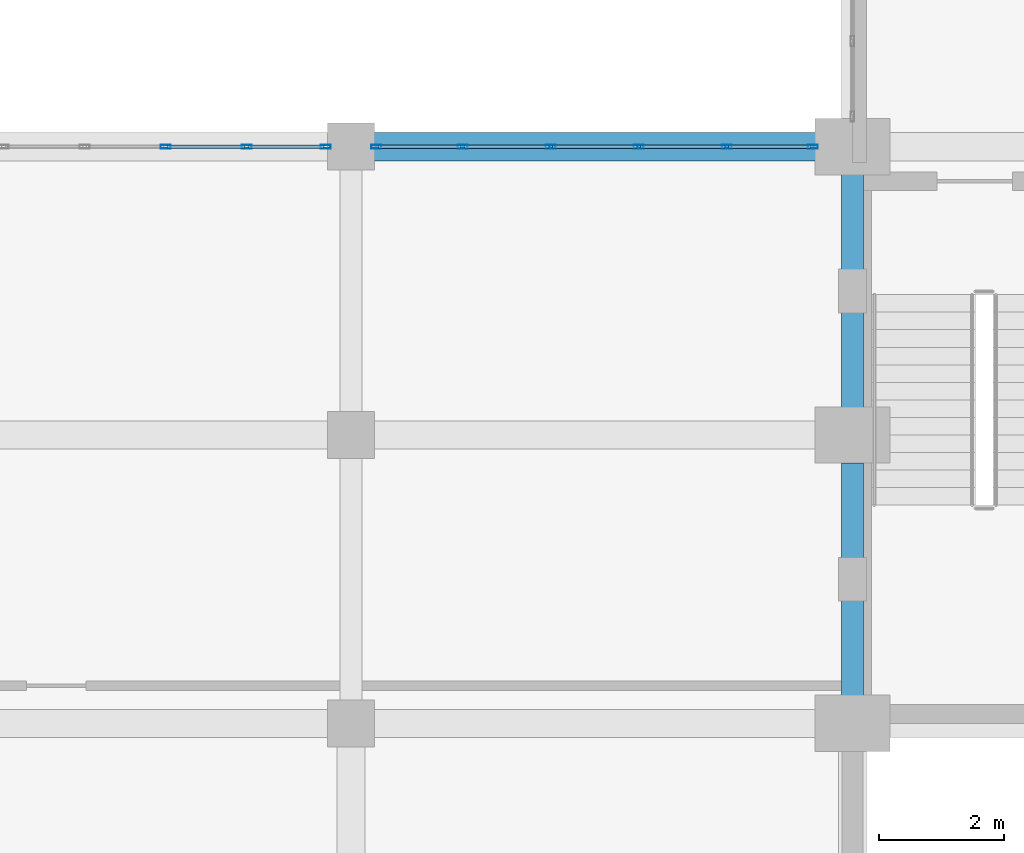
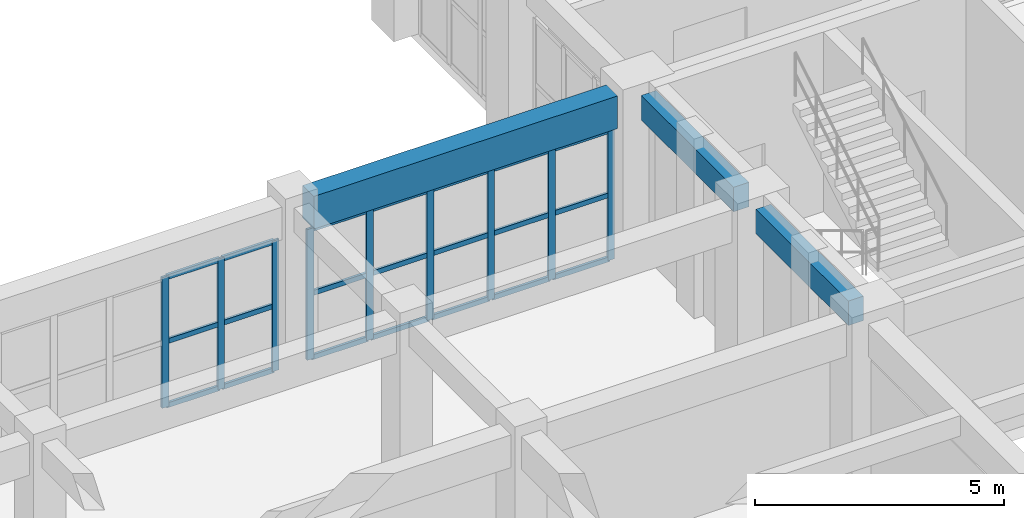
# One storey, part 13 of 116: 30 members, 3 beams, 2 elements without a shape of their own.
"""IFC4 building model written with IfcOpenShell, lengths in metres."""

from ifc_helpers import new_model, si_unit, direction, frame, origin, origin_2d, place, context, subcontext, project, spatial, rectangle, hollow_rectangle, extrude, material, layer, layer_set, material_profile, profile_set, type_object, element, aggregate, save


model = new_model("IFC4")

# Units and contexts
model_context = context("Model", 3, precision=1e-05, world=origin(), true_north=direction((0.0, 1.0)))
body_context = subcontext(model_context, "Body", "Model", "MODEL_VIEW")
ifc_project = project(units=[si_unit("LENGTHUNIT", "METRE"), si_unit("AREAUNIT", "SQUARE_METRE"), si_unit("VOLUMEUNIT", "CUBIC_METRE"), si_unit("PLANEANGLEUNIT", "RADIAN"), si_unit("MASSUNIT", "GRAM", prefix="KILO")], contexts=[model_context])

# Site, building, storey
site_placement = place(None, origin())
site = spatial("IfcSite", under=ifc_project, at=site_placement, CompositionType="ELEMENT")
building_placement = place(site_placement, origin())
building = spatial("IfcBuilding", under=site, at=building_placement, Name="Muzn Square Opera House", CompositionType="ELEMENT")
storey_placement = place(building_placement, frame((0.0, 0.0, 5.39990234375)))
storey = spatial("IfcBuildingStorey", under=building, at=storey_placement, Name="L01", CompositionType="ELEMENT", Elevation=5.39990234375)

# Curtain wall, members
ifc_material_1 = material(Name="Low-E laminated acoustic double glazing", Category="glass")
ifc_layer_1 = layer(ifc_material_1, 0.159912109375, Name="Low-E laminated acoustic double glazing", Category="glass")
ifc_layer_set_1 = layer_set([ifc_layer_1], Name="Low-E laminated acoustic double glazing")
curtain_wall_type_1 = type_object("IfcCurtainWallType", Name="Glazed Curtain Wall WestCloisterS 7750x3200", PredefinedType="USERDEFINED", material=ifc_layer_set_1)
curtain_wall_1_placement = place(storey_placement, origin())
curtain_wall_1 = element("IfcCurtainWall", 1, at=curtain_wall_1_placement, inside=storey, type_object=curtain_wall_type_1, Name="Glazed Curtain Wall CW-L01-083", ObjectType="GLAZED CURTAIN WALL", PredefinedType="USERDEFINED")
ifc_material_2 = material(Name="Anodised bronze aluminium 6063-T6", Category="metal")
ifc_material_profile_1 = material_profile(ifc_material_2, hollow_rectangle(XDim=0.06005859375, YDim=0.159912109375, WallThickness=0.00390625, at=origin_2d()), Name="ALU 160x60x4", Category="metal")
ifc_profile_set_1 = profile_set([ifc_material_profile_1], Name="Anodised bronze aluminium 6063-T6")
member_type_1 = type_object("IfcMemberType", Name="Curtain Wall Mullion 160x60", PredefinedType="MULLION", material=ifc_profile_set_1)
member_1_placement = place(storey_placement, frame((32.041748046875, 31.199951171875, 0.0), z_axis=(0.0, 0.0, 1.0), x_axis=(0.0, 1.0, 0.0)))
member_1 = element("IfcMember", 2, at=member_1_placement, type_object=member_type_1, Name="CW-WCS-77x32 mullion 5", PredefinedType="MULLION", context=body_context, shape_type="SweptSolid", body=[
    extrude(hollow_rectangle(XDim=0.06005859375, YDim=0.159912109375, WallThickness=0.00390625, at=origin_2d()), origin(), (0.0, 0.0, 1.0), 3.2001953125),
])
member_2_placement = place(storey_placement, frame((33.333251953125, 31.199951171875, 0.0), z_axis=(0.0, 0.0, 1.0), x_axis=(0.0, 1.0, 0.0)))
member_2 = element("IfcMember", 3, at=member_2_placement, type_object=member_type_1, Name="CW-WCS-77x32 mullion 6", PredefinedType="MULLION", context=body_context, shape_type="SweptSolid", body=[
    extrude(hollow_rectangle(XDim=0.06005859375, YDim=0.159912109375, WallThickness=0.00390625, at=origin_2d()), origin(), (0.0, 0.0, 1.0), 3.2001953125),
])
member_3_placement = place(storey_placement, frame((34.594970703125, 31.199951171875, 0.0), z_axis=(0.0, 0.0, 1.0), x_axis=(0.0, 1.0, 0.0)))
member_3 = element("IfcMember", 4, at=member_3_placement, type_object=member_type_1, Name="CW-WCS-77x32 mullion 7", PredefinedType="MULLION", context=body_context, shape_type="SweptSolid", body=[
    extrude(hollow_rectangle(XDim=0.06005859375, YDim=0.159912109375, WallThickness=0.00390625, at=origin_2d()), origin(), (0.0, 0.0, 1.0), 3.2001953125),
])

ifc_layer_2 = layer(ifc_material_1, 0.159912109375, Name="Low-E laminated acoustic double glazing", Category="glass")
ifc_layer_set_2 = layer_set([ifc_layer_2], Name="Low-E laminated acoustic double glazing")
curtain_wall_type_2 = type_object("IfcCurtainWallType", Name="Glazed Curtain Wall WestCloisterS 7025x3200", PredefinedType="USERDEFINED", material=ifc_layer_set_2)
curtain_wall_2_placement = place(storey_placement, origin())
curtain_wall_2 = element("IfcCurtainWall", 5, at=curtain_wall_2_placement, inside=storey, type_object=curtain_wall_type_2, Name="Glazed Curtain Wall CW-L01-085", ObjectType="GLAZED CURTAIN WALL", PredefinedType="USERDEFINED")
member_4_placement = place(storey_placement, frame((35.405029296875, 31.199951171875, 0.0), z_axis=(0.0, 0.0, 1.0), x_axis=(0.0, 1.0, 0.0)))
member_4 = element("IfcMember", 6, at=member_4_placement, type_object=member_type_1, Name="CW-WCS-70x32 mullion 1", PredefinedType="MULLION", context=body_context, shape_type="SweptSolid", body=[
    extrude(hollow_rectangle(XDim=0.06005859375, YDim=0.159912109375, WallThickness=0.00390625, at=origin_2d()), origin(), (0.0, 0.0, 1.0), 3.2001953125),
])
member_5_placement = place(storey_placement, frame((36.780029296875, 31.199951171875, 0.0), z_axis=(0.0, 0.0, 1.0), x_axis=(0.0, 1.0, 0.0)))
member_5 = element("IfcMember", 7, at=member_5_placement, type_object=member_type_1, Name="CW-WCS-70x32 mullion 2", PredefinedType="MULLION", context=body_context, shape_type="SweptSolid", body=[
    extrude(hollow_rectangle(XDim=0.06005859375, YDim=0.159912109375, WallThickness=0.00390625, at=origin_2d()), origin(), (0.0, 0.0, 1.0), 3.2001953125),
])
member_6_placement = place(storey_placement, frame((38.18505859375, 31.199951171875, 0.0), z_axis=(0.0, 0.0, 1.0), x_axis=(0.0, 1.0, 0.0)))
member_6 = element("IfcMember", 8, at=member_6_placement, type_object=member_type_1, Name="CW-WCS-70x32 mullion 3", PredefinedType="MULLION", context=body_context, shape_type="SweptSolid", body=[
    extrude(hollow_rectangle(XDim=0.06005859375, YDim=0.159912109375, WallThickness=0.00390625, at=origin_2d()), origin(), (0.0, 0.0, 1.0), 3.2001953125),
])
member_7_placement = place(storey_placement, frame((39.590087890625, 31.199951171875, 0.0), z_axis=(0.0, 0.0, 1.0), x_axis=(0.0, 1.0, 0.0)))
member_7 = element("IfcMember", 9, at=member_7_placement, type_object=member_type_1, Name="CW-WCS-70x32 mullion 4", PredefinedType="MULLION", context=body_context, shape_type="SweptSolid", body=[
    extrude(hollow_rectangle(XDim=0.06005859375, YDim=0.159912109375, WallThickness=0.00390625, at=origin_2d()), origin(), (0.0, 0.0, 1.0), 3.2001953125),
])
member_8_placement = place(storey_placement, frame((40.9951171875, 31.199951171875, 0.0), z_axis=(0.0, 0.0, 1.0), x_axis=(0.0, 1.0, 0.0)))
member_8 = element("IfcMember", 10, at=member_8_placement, type_object=member_type_1, Name="CW-WCS-70x32 mullion 5", PredefinedType="MULLION", context=body_context, shape_type="SweptSolid", body=[
    extrude(hollow_rectangle(XDim=0.06005859375, YDim=0.159912109375, WallThickness=0.00390625, at=origin_2d()), origin(), (0.0, 0.0, 1.0), 3.2001953125),
])
member_9_placement = place(storey_placement, frame((42.3701171875, 31.199951171875, 0.0), z_axis=(0.0, 0.0, 1.0), x_axis=(0.0, 1.0, 0.0)))
member_9 = element("IfcMember", 11, at=member_9_placement, type_object=member_type_1, Name="CW-WCS-70x32 mullion 6", PredefinedType="MULLION", context=body_context, shape_type="SweptSolid", body=[
    extrude(hollow_rectangle(XDim=0.06005859375, YDim=0.159912109375, WallThickness=0.00390625, at=origin_2d()), origin(), (0.0, 0.0, 1.0), 3.2001953125),
])

# Member
ifc_material_profile_2 = material_profile(ifc_material_2, hollow_rectangle(XDim=0.06005859375, YDim=0.1201171875, WallThickness=0.00390625, at=origin_2d()), Name="ALU 120x60x4", Category="metal")
ifc_profile_set_2 = profile_set([ifc_material_profile_2], Name="Anodised bronze aluminium 6063-T6")
member_type_2 = type_object("IfcMemberType", Name="Curtain Wall Transom 120x60", PredefinedType="USERDEFINED", material=ifc_profile_set_2)
member_10_placement = place(storey_placement, frame((32.07177734375, 31.199951171875, 0.030029296875), z_axis=(1.0, 0.0, 0.0), x_axis=(0.0, 1.0, 0.0)))
member_10 = element("IfcMember", 12, at=member_10_placement, type_object=member_type_2, Name="CW-WCS-77x32 transom 5.1", ObjectType="TRANSOM", PredefinedType="USERDEFINED", context=body_context, shape_type="SweptSolid", body=[
    extrude(hollow_rectangle(XDim=0.06005859375, YDim=0.1201171875, WallThickness=0.00390625, at=origin_2d()), origin(), (0.0, 0.0, 1.0), 1.2314453125),
])

member_11_placement = place(storey_placement, frame((32.07177734375, 31.199951171875, 1.60009765625), z_axis=(1.0, 0.0, 0.0), x_axis=(0.0, 1.0, 0.0)))
member_11 = element("IfcMember", 13, at=member_11_placement, type_object=member_type_2, Name="CW-WCS-77x32 transom 5.2", ObjectType="TRANSOM", PredefinedType="USERDEFINED", context=body_context, shape_type="SweptSolid", body=[
    extrude(hollow_rectangle(XDim=0.06005859375, YDim=0.1201171875, WallThickness=0.00390625, at=origin_2d()), origin(), (0.0, 0.0, 1.0), 1.2314453125),
])

member_12_placement = place(storey_placement, frame((32.07177734375, 31.199951171875, 3.170166015625), z_axis=(1.0, 0.0, 0.0), x_axis=(0.0, 1.0, 0.0)))
member_12 = element("IfcMember", 14, at=member_12_placement, type_object=member_type_2, Name="CW-WCS-77x32 transom 5.3", ObjectType="TRANSOM", PredefinedType="USERDEFINED", context=body_context, shape_type="SweptSolid", body=[
    extrude(hollow_rectangle(XDim=0.06005859375, YDim=0.1201171875, WallThickness=0.00390625, at=origin_2d()), origin(), (0.0, 0.0, 1.0), 1.2314453125),
])

member_13_placement = place(storey_placement, frame((33.36328125, 31.199951171875, 0.030029296875), z_axis=(1.0, 0.0, 0.0), x_axis=(0.0, 1.0, 0.0)))
member_13 = element("IfcMember", 15, at=member_13_placement, type_object=member_type_2, Name="CW-WCS-77x32 transom 6.1", ObjectType="TRANSOM", PredefinedType="USERDEFINED", context=body_context, shape_type="SweptSolid", body=[
    extrude(hollow_rectangle(XDim=0.06005859375, YDim=0.1201171875, WallThickness=0.00390625, at=origin_2d()), origin(), (0.0, 0.0, 1.0), 1.20166015625),
])

member_14_placement = place(storey_placement, frame((33.36328125, 31.199951171875, 1.60009765625), z_axis=(1.0, 0.0, 0.0), x_axis=(0.0, 1.0, 0.0)))
member_14 = element("IfcMember", 16, at=member_14_placement, type_object=member_type_2, Name="CW-WCS-77x32 transom 6.2", ObjectType="TRANSOM", PredefinedType="USERDEFINED", context=body_context, shape_type="SweptSolid", body=[
    extrude(hollow_rectangle(XDim=0.06005859375, YDim=0.1201171875, WallThickness=0.00390625, at=origin_2d()), origin(), (0.0, 0.0, 1.0), 1.20166015625),
])

member_15_placement = place(storey_placement, frame((33.36328125, 31.199951171875, 3.170166015625), z_axis=(1.0, 0.0, 0.0), x_axis=(0.0, 1.0, 0.0)))
member_15 = element("IfcMember", 17, at=member_15_placement, type_object=member_type_2, Name="CW-WCS-77x32 transom 6.3", ObjectType="TRANSOM", PredefinedType="USERDEFINED", context=body_context, shape_type="SweptSolid", body=[
    extrude(hollow_rectangle(XDim=0.06005859375, YDim=0.1201171875, WallThickness=0.00390625, at=origin_2d()), origin(), (0.0, 0.0, 1.0), 1.20166015625),
])

aggregate(curtain_wall_1, [member_1, member_2, member_3, member_10, member_11, member_12, member_13, member_14, member_15])

member_16_placement = place(storey_placement, frame((35.43505859375, 31.199951171875, 0.030029296875), z_axis=(1.0, 0.0, 0.0), x_axis=(0.0, 1.0, 0.0)))
member_16 = element("IfcMember", 18, at=member_16_placement, type_object=member_type_2, Name="CW-WCS-70x32 transom 1.1", ObjectType="TRANSOM", PredefinedType="USERDEFINED", context=body_context, shape_type="SweptSolid", body=[
    extrude(hollow_rectangle(XDim=0.06005859375, YDim=0.1201171875, WallThickness=0.00390625, at=origin_2d()), origin(), (0.0, 0.0, 1.0), 1.31494140625),
])

member_17_placement = place(storey_placement, frame((35.43505859375, 31.199951171875, 1.60009765625), z_axis=(1.0, 0.0, 0.0), x_axis=(0.0, 1.0, 0.0)))
member_17 = element("IfcMember", 19, at=member_17_placement, type_object=member_type_2, Name="CW-WCS-70x32 transom 1.2", ObjectType="TRANSOM", PredefinedType="USERDEFINED", context=body_context, shape_type="SweptSolid", body=[
    extrude(hollow_rectangle(XDim=0.06005859375, YDim=0.1201171875, WallThickness=0.00390625, at=origin_2d()), origin(), (0.0, 0.0, 1.0), 1.31494140625),
])

member_18_placement = place(storey_placement, frame((35.43505859375, 31.199951171875, 3.170166015625), z_axis=(1.0, 0.0, 0.0), x_axis=(0.0, 1.0, 0.0)))
member_18 = element("IfcMember", 20, at=member_18_placement, type_object=member_type_2, Name="CW-WCS-70x32 transom 1.3", ObjectType="TRANSOM", PredefinedType="USERDEFINED", context=body_context, shape_type="SweptSolid", body=[
    extrude(hollow_rectangle(XDim=0.06005859375, YDim=0.1201171875, WallThickness=0.00390625, at=origin_2d()), origin(), (0.0, 0.0, 1.0), 1.31494140625),
])

member_19_placement = place(storey_placement, frame((36.81005859375, 31.199951171875, 0.030029296875), z_axis=(1.0, 0.0, 0.0), x_axis=(0.0, 1.0, 0.0)))
member_19 = element("IfcMember", 21, at=member_19_placement, type_object=member_type_2, Name="CW-WCS-70x32 transom 2.1", ObjectType="TRANSOM", PredefinedType="USERDEFINED", context=body_context, shape_type="SweptSolid", body=[
    extrude(hollow_rectangle(XDim=0.06005859375, YDim=0.1201171875, WallThickness=0.00390625, at=origin_2d()), origin(), (0.0, 0.0, 1.0), 1.344970703125),
])

member_20_placement = place(storey_placement, frame((36.81005859375, 31.199951171875, 1.60009765625), z_axis=(1.0, 0.0, 0.0), x_axis=(0.0, 1.0, 0.0)))
member_20 = element("IfcMember", 22, at=member_20_placement, type_object=member_type_2, Name="CW-WCS-70x32 transom 2.2", ObjectType="TRANSOM", PredefinedType="USERDEFINED", context=body_context, shape_type="SweptSolid", body=[
    extrude(hollow_rectangle(XDim=0.06005859375, YDim=0.1201171875, WallThickness=0.00390625, at=origin_2d()), origin(), (0.0, 0.0, 1.0), 1.344970703125),
])

member_21_placement = place(storey_placement, frame((36.81005859375, 31.199951171875, 3.170166015625), z_axis=(1.0, 0.0, 0.0), x_axis=(0.0, 1.0, 0.0)))
member_21 = element("IfcMember", 23, at=member_21_placement, type_object=member_type_2, Name="CW-WCS-70x32 transom 2.3", ObjectType="TRANSOM", PredefinedType="USERDEFINED", context=body_context, shape_type="SweptSolid", body=[
    extrude(hollow_rectangle(XDim=0.06005859375, YDim=0.1201171875, WallThickness=0.00390625, at=origin_2d()), origin(), (0.0, 0.0, 1.0), 1.344970703125),
])

member_22_placement = place(storey_placement, frame((38.215087890625, 31.199951171875, 0.030029296875), z_axis=(1.0, 0.0, 0.0), x_axis=(0.0, 1.0, 0.0)))
member_22 = element("IfcMember", 24, at=member_22_placement, type_object=member_type_2, Name="CW-WCS-70x32 transom 3.1", ObjectType="TRANSOM", PredefinedType="USERDEFINED", context=body_context, shape_type="SweptSolid", body=[
    extrude(hollow_rectangle(XDim=0.06005859375, YDim=0.1201171875, WallThickness=0.00390625, at=origin_2d()), origin(), (0.0, 0.0, 1.0), 1.344970703125),
])

member_23_placement = place(storey_placement, frame((38.215087890625, 31.199951171875, 1.60009765625), z_axis=(1.0, 0.0, 0.0), x_axis=(0.0, 1.0, 0.0)))
member_23 = element("IfcMember", 25, at=member_23_placement, type_object=member_type_2, Name="CW-WCS-70x32 transom 3.2", ObjectType="TRANSOM", PredefinedType="USERDEFINED", context=body_context, shape_type="SweptSolid", body=[
    extrude(hollow_rectangle(XDim=0.06005859375, YDim=0.1201171875, WallThickness=0.00390625, at=origin_2d()), origin(), (0.0, 0.0, 1.0), 1.344970703125),
])

member_24_placement = place(storey_placement, frame((38.215087890625, 31.199951171875, 3.170166015625), z_axis=(1.0, 0.0, 0.0), x_axis=(0.0, 1.0, 0.0)))
member_24 = element("IfcMember", 26, at=member_24_placement, type_object=member_type_2, Name="CW-WCS-70x32 transom 3.3", ObjectType="TRANSOM", PredefinedType="USERDEFINED", context=body_context, shape_type="SweptSolid", body=[
    extrude(hollow_rectangle(XDim=0.06005859375, YDim=0.1201171875, WallThickness=0.00390625, at=origin_2d()), origin(), (0.0, 0.0, 1.0), 1.344970703125),
])

member_25_placement = place(storey_placement, frame((39.6201171875, 31.199951171875, 0.030029296875), z_axis=(1.0, 0.0, 0.0), x_axis=(0.0, 1.0, 0.0)))
member_25 = element("IfcMember", 27, at=member_25_placement, type_object=member_type_2, Name="CW-WCS-70x32 transom 4.1", ObjectType="TRANSOM", PredefinedType="USERDEFINED", context=body_context, shape_type="SweptSolid", body=[
    extrude(hollow_rectangle(XDim=0.06005859375, YDim=0.1201171875, WallThickness=0.00390625, at=origin_2d()), origin(), (0.0, 0.0, 1.0), 1.344970703125),
])

member_26_placement = place(storey_placement, frame((39.6201171875, 31.199951171875, 1.60009765625), z_axis=(1.0, 0.0, 0.0), x_axis=(0.0, 1.0, 0.0)))
member_26 = element("IfcMember", 28, at=member_26_placement, type_object=member_type_2, Name="CW-WCS-70x32 transom 4.2", ObjectType="TRANSOM", PredefinedType="USERDEFINED", context=body_context, shape_type="SweptSolid", body=[
    extrude(hollow_rectangle(XDim=0.06005859375, YDim=0.1201171875, WallThickness=0.00390625, at=origin_2d()), origin(), (0.0, 0.0, 1.0), 1.344970703125),
])

member_27_placement = place(storey_placement, frame((39.6201171875, 31.199951171875, 3.170166015625), z_axis=(1.0, 0.0, 0.0), x_axis=(0.0, 1.0, 0.0)))
member_27 = element("IfcMember", 29, at=member_27_placement, type_object=member_type_2, Name="CW-WCS-70x32 transom 4.3", ObjectType="TRANSOM", PredefinedType="USERDEFINED", context=body_context, shape_type="SweptSolid", body=[
    extrude(hollow_rectangle(XDim=0.06005859375, YDim=0.1201171875, WallThickness=0.00390625, at=origin_2d()), origin(), (0.0, 0.0, 1.0), 1.344970703125),
])

member_28_placement = place(storey_placement, frame((41.02490234375, 31.199951171875, 0.030029296875), z_axis=(1.0, 0.0, 0.0), x_axis=(0.0, 1.0, 0.0)))
member_28 = element("IfcMember", 30, at=member_28_placement, type_object=member_type_2, Name="CW-WCS-70x32 transom 5.1", ObjectType="TRANSOM", PredefinedType="USERDEFINED", context=body_context, shape_type="SweptSolid", body=[
    extrude(hollow_rectangle(XDim=0.06005859375, YDim=0.1201171875, WallThickness=0.00390625, at=origin_2d()), origin(), (0.0, 0.0, 1.0), 1.315185546875),
])

member_29_placement = place(storey_placement, frame((41.02490234375, 31.199951171875, 1.60009765625), z_axis=(1.0, 0.0, 0.0), x_axis=(0.0, 1.0, 0.0)))
member_29 = element("IfcMember", 31, at=member_29_placement, type_object=member_type_2, Name="CW-WCS-70x32 transom 5.2", ObjectType="TRANSOM", PredefinedType="USERDEFINED", context=body_context, shape_type="SweptSolid", body=[
    extrude(hollow_rectangle(XDim=0.06005859375, YDim=0.1201171875, WallThickness=0.00390625, at=origin_2d()), origin(), (0.0, 0.0, 1.0), 1.315185546875),
])

member_30_placement = place(storey_placement, frame((41.02490234375, 31.199951171875, 3.170166015625), z_axis=(1.0, 0.0, 0.0), x_axis=(0.0, 1.0, 0.0)))
member_30 = element("IfcMember", 32, at=member_30_placement, type_object=member_type_2, Name="CW-WCS-70x32 transom 5.3", ObjectType="TRANSOM", PredefinedType="USERDEFINED", context=body_context, shape_type="SweptSolid", body=[
    extrude(hollow_rectangle(XDim=0.06005859375, YDim=0.1201171875, WallThickness=0.00390625, at=origin_2d()), origin(), (0.0, 0.0, 1.0), 1.315185546875),
])

aggregate(curtain_wall_2, [member_4, member_5, member_6, member_7, member_8, member_9, member_16, member_17, member_18, member_19, member_20, member_21, member_22, member_23, member_24, member_25, member_26, member_27, member_28, member_29, member_30])

# Beams
ifc_material_3 = material(Name="Concrete C40/50", Category="concrete")
ifc_material_profile_3 = material_profile(ifc_material_3, rectangle(XDim=0.35009765625, YDim=0.60009765625, at=origin_2d()), Name="RCB 350x600", Category="concrete")
ifc_profile_set_3 = profile_set([ifc_material_profile_3], Name="Concrete C40/50")
beam_type_1 = type_object("IfcBeamType", Name="Primary Girder 350x600", PredefinedType="BEAM", material=ifc_profile_set_3)
for number, where, z_axis, x_axis, name in (
    (33, (43.0, 22.44189453125, 3.820068359375), (0.0, 1.0, 0.0), (-1.0, 0.0, 0.0), "Primary Girder BM-L01-BM-PG600-430_224_430_262-1599"),
    (34, (43.0, 27.0419921875, 3.820068359375), (0.0, 1.0, 0.0), (-1.0, 0.0, 0.0), "Primary Girder BM-L01-BM-PG600-430_270_430_308-1600"),
):
    element("IfcBeam", number, at=place(storey_placement, frame(where, z_axis=z_axis, x_axis=x_axis)), inside=storey, type_object=beam_type_1, Name=name, PredefinedType="BEAM", context=body_context, shape_type="SweptSolid", body=[
        extrude(rectangle(XDim=0.35009765625, YDim=0.60009765625, at=origin_2d()), origin(), (0.0, 0.0, 1.0), 3.716064453125),
    ])
ifc_material_profile_4 = material_profile(ifc_material_3, rectangle(XDim=0.449951171875, YDim=0.800048828125, at=origin_2d()), Name="RCB 450x800", Category="concrete")
ifc_profile_set_4 = profile_set([ifc_material_profile_4], Name="Concrete C40/50")
beam_type_2 = type_object("IfcBeamType", Name="Primary Girder 450x800", PredefinedType="BEAM", material=ifc_profile_set_4)
beam_placement = place(storey_placement, frame((35.366943359375, 31.199951171875, 3.72021484375), z_axis=(1.0, 0.0, 0.0), x_axis=(0.0, 1.0, 0.0)))
element("IfcBeam", 35, at=beam_placement, inside=storey, type_object=beam_type_2, Name="Primary Girder BM-L01-BM-PG800-354_312_424_312-1317", PredefinedType="BEAM", context=body_context, shape_type="SweptSolid", body=[
    extrude(rectangle(XDim=0.449951171875, YDim=0.800048828125, at=origin_2d()), origin(), (0.0, 0.0, 1.0), 7.041015625),
])

save(model, "model.ifc")
